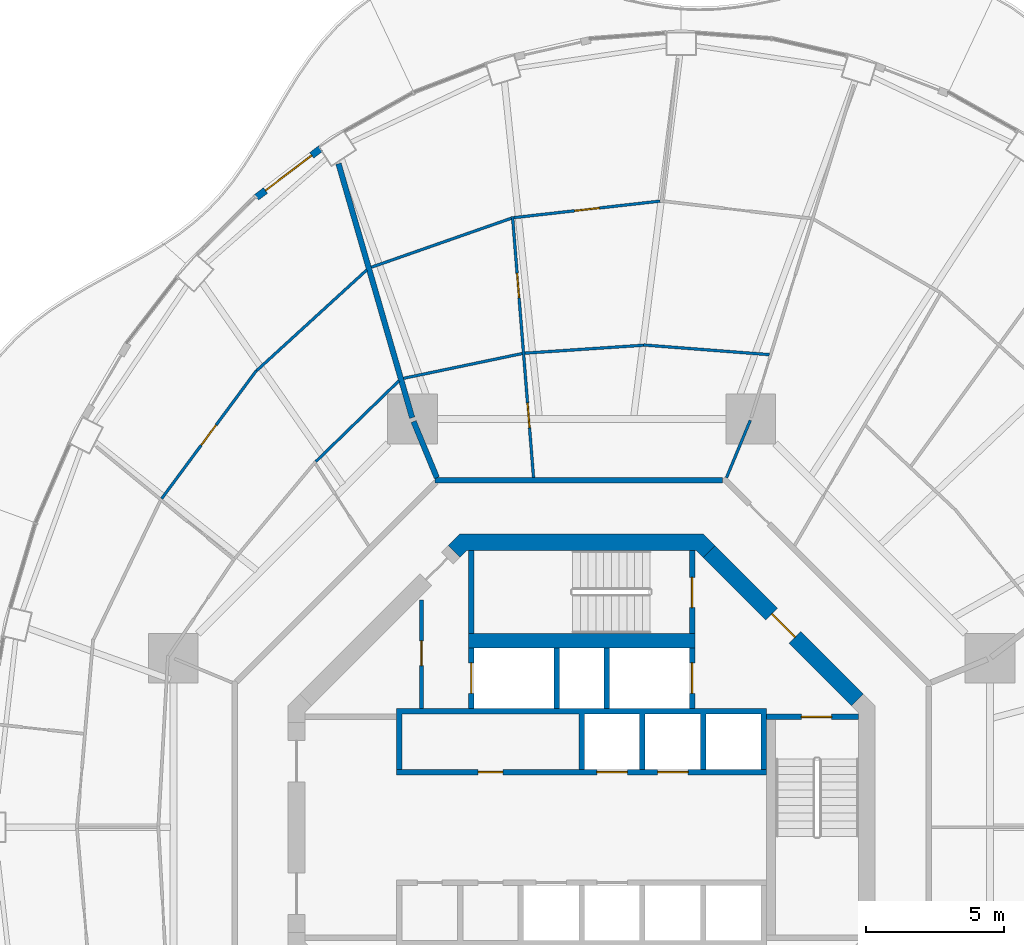
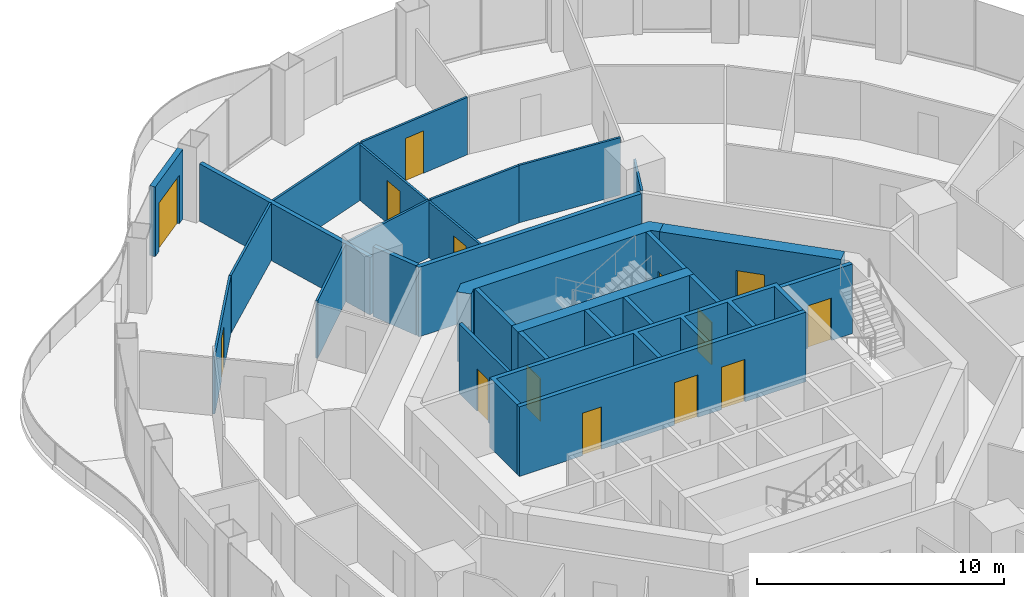
# One storey, part 14 of 19: 27 walls, 14 doors, 14 openings.
"""IFC4 building model written with IfcOpenShell, lengths in metres."""

from ifc_helpers import new_model, si_unit, direction, frame, frame_2d, origin, place, context, subcontext, project, spatial, polyline, rectangle, outline, extrude, material, layer, layer_set, type_object, element, fill, save


model = new_model("IFC4")

# Units and contexts
model_context = context("Model", 3, precision=1e-05, world=origin(), true_north=direction((0.0, 1.0)))
body_context = subcontext(model_context, "Body", "Model", "MODEL_VIEW")
ifc_project = project(units=[si_unit("LENGTHUNIT", "METRE"), si_unit("AREAUNIT", "SQUARE_METRE"), si_unit("VOLUMEUNIT", "CUBIC_METRE"), si_unit("PLANEANGLEUNIT", "RADIAN"), si_unit("MASSUNIT", "GRAM", prefix="KILO")], contexts=[model_context])

# Site, building, storey
site_placement = place(None, origin())
site = spatial("IfcSite", under=ifc_project, at=site_placement, CompositionType="ELEMENT")
building_placement = place(site_placement, origin())
building = spatial("IfcBuilding", under=site, at=building_placement, Name="Nagisa Residences", CompositionType="ELEMENT")
storey_placement = place(building_placement, frame((0.0, 0.0, 199.199951171875)))
storey = spatial("IfcBuildingStorey", under=building, at=storey_placement, Name="L50", CompositionType="ELEMENT", Elevation=199.199951171875)

# Walls
ifc_material_1 = material(Name="Gypsum board on steel studs", Category="steel")
ifc_layer_1 = layer(ifc_material_1, 0.199951171875)
ifc_layer_set_1 = layer_set([ifc_layer_1], Name="Apartment compartment wall EI60 200")
wall_type_1 = type_object("IfcWallType", Name="Apartment compartment wall EI60 200", PredefinedType="PARTITIONING", material=ifc_layer_set_1)
wall_1_placement = place(storey_placement, frame((-5.24267578125, 12.6572265625, 0.0), z_axis=(0.0, 0.0, 1.0), x_axis=(-0.382707856524, 0.923869415315, 0.0)))
element("IfcWall", 1, at=wall_1_placement, inside=storey, type_object=wall_type_1, Name="wall:L50:u02", PredefinedType="PARTITIONING", context=body_context, shape_type="SweptSolid", body=[
    extrude(rectangle(XDim=2.2001953125, YDim=0.199951171875, at=frame_2d((1.10009765625, 0.0))), origin(), (0.0, 0.0, 1.0), 3.43994140625),
])
wall_2_placement = place(storey_placement, frame((-6.136962890625, 14.830078125, 0.0), z_axis=(0.0, 0.0, 1.0), x_axis=(-0.278461169897, 0.96044748782, 0.0)))
element("IfcWall", 2, at=wall_2_placement, inside=storey, type_object=wall_type_1, Name="wall:L50:u03", PredefinedType="PARTITIONING", context=body_context, shape_type="SweptSolid", body=[
    extrude(rectangle(XDim=9.5732421875, YDim=0.199951171875, at=frame_2d((4.78662109375, 0.0))), origin(), (0.0, 0.0, 1.0), 2.837158203125),
])
ifc_material_2 = material(Name="Gypsum board on steel studs", Category="steel")
ifc_layer_2 = layer(ifc_material_2, 0.199951171875)
ifc_layer_set_2 = layer_set([ifc_layer_2], Name="Apartment entry wall EI60 200")
wall_type_2 = type_object("IfcWallType", Name="Apartment entry wall EI60 200", PredefinedType="PARTITIONING", material=ifc_layer_set_2)
wall_3_placement = place(storey_placement, frame((5.1044921875, 12.564697265625, 0.0), z_axis=(0.0, 0.0, 1.0), x_axis=(-1.0, 0.0, 0.0)))
element("IfcWall", 3, at=wall_3_placement, inside=storey, type_object=wall_type_2, Name="wall:L50:u08", PredefinedType="PARTITIONING", context=body_context, shape_type="SweptSolid", body=[
    extrude(rectangle(XDim=10.408935546875, YDim=0.199951171875, at=frame_2d((5.20458984375, 0.0))), origin(), (0.0, 0.0, 1.0), 3.43994140625),
])
ifc_material_3 = material(Name="Gypsum board on steel studs", Category="steel")
ifc_layer_3 = layer(ifc_material_3, 0.10009765625)
ifc_layer_set_3 = layer_set([ifc_layer_3], Name="Apartment partition 100")
wall_type_3 = type_object("IfcWallType", Name="Apartment partition 100", PredefinedType="PARTITIONING", material=ifc_layer_set_3)
wall_4_placement = place(storey_placement, frame((5.24267578125, 12.6572265625, 0.0), z_axis=(0.0, 0.0, 1.0), x_axis=(0.382719158442, 0.923864733477, 0.0)))
element("IfcWall", 4, at=wall_4_placement, inside=storey, type_object=wall_type_3, Name="wall:L50:u30", PredefinedType="PARTITIONING", context=body_context, shape_type="SweptSolid", body=[
    extrude(rectangle(XDim=2.25, YDim=0.10009765625, at=frame_2d((1.125, 0.0))), origin(), (0.0, 0.0, 1.0), 3.43994140625),
])
wall_5_placement = place(storey_placement, frame((6.791259765625, 17.11328125, 0.0), z_axis=(0.0, 0.0, 1.0), x_axis=(-0.997077117727, 0.07640171009, 0.0)))
element("IfcWall", 5, at=wall_5_placement, inside=storey, type_object=wall_type_3, Name="wall:L50:u32", PredefinedType="PARTITIONING", context=body_context, shape_type="SweptSolid", body=[
    extrude(rectangle(XDim=4.56005859375, YDim=0.10009765625, at=frame_2d((2.280029296875, 0.0))), origin(), (0.0, 0.0, 1.0), 2.837158203125),
])
wall_6_placement = place(storey_placement, frame((2.244384765625, 17.45458984375, 0.0), z_axis=(0.0, 0.0, 1.0), x_axis=(-0.997754717554, -0.066974051687, 0.0)))
element("IfcWall", 6, at=wall_6_placement, inside=storey, type_object=wall_type_3, Name="wall:L50:u34", PredefinedType="PARTITIONING", context=body_context, shape_type="SweptSolid", body=[
    extrude(rectangle(XDim=4.308837890625, YDim=0.10009765625, at=frame_2d((2.154296875, 0.0))), origin(), (0.0, 0.0, 1.0), 2.837158203125),
])

# Wall, opening, door
wall_7_placement = place(storey_placement, frame((2.841552734375, 22.67138671875, 0.0), z_axis=(0.0, 0.0, 1.0), x_axis=(-0.993660315081, -0.112424099879, 0.0)))
wall_7 = element("IfcWall", 7, at=wall_7_placement, inside=storey, type_object=wall_type_3, Name="wall:L50:u36", PredefinedType="PARTITIONING", context=body_context, shape_type="SweptSolid", body=[
    extrude(rectangle(XDim=5.32470703125, YDim=0.10009765625, at=frame_2d((2.662353515625, 0.0))), origin(), (0.0, 0.0, 1.0), 2.837158203125),
])
opening_1_placement = place(wall_7_placement, frame((2.21240234375, 0.0, 0.0)))
opening_1 = element("IfcOpeningElement", 8, at=opening_1_placement, cuts=wall_7, Name="Opening L50-U33", PredefinedType="OPENING", context=body_context, shape_type="SweptSolid", body=[
    extrude(rectangle(XDim=0.89990234375, YDim=2.10009765625, at=frame_2d((0.449951171875, 1.050048828125))), frame((0.0, 0.06005859375, 0.0), z_axis=(0.0, -1.0, 0.0), x_axis=(1.0, 0.0, 0.0)), (0.0, 0.0, 1.0), 0.1201171875),
])
ifc_material_4 = material(Name="Timber door set", Category="wood")
door_type_1 = type_object("IfcDoorType", Name="Apartment door 900x2100", OperationType="NOTDEFINED", PredefinedType="DOOR", material=ifc_material_4)
door_1_placement = place(opening_1_placement, frame((0.89990234375, 0.0, 0.0), x_axis=(-1.0, 0.0, 0.0)))
door_1 = element("IfcDoor", 9, at=door_1_placement, inside=storey, type_object=door_type_1, Name="Door to family room, Apartment 50B", OperationType="SINGLE_SWING_RIGHT", OverallHeight=2.10009765625, OverallWidth=0.89990234375, PredefinedType="DOOR", context=body_context, shape_type="SweptSolid", body=[
    extrude(rectangle(XDim=0.89990234375, YDim=2.10009765625, at=frame_2d((0.449951171875, 1.050048828125))), frame((0.0, 0.02490234375, 0.0), z_axis=(0.0, -1.0, 0.0), x_axis=(1.0, 0.0, 0.0)), (0.0, 0.0, 1.0), 0.050048828125),
])
fill(opening_1, door_1)

# Wall, openings, doors
wall_8_placement = place(storey_placement, frame((-1.742919921875, 12.66455078125, 0.0), z_axis=(0.0, 0.0, 1.0), x_axis=(-0.080170892619, 0.996781133437, 0.0)))
wall_8 = element("IfcWall", 10, at=wall_8_placement, inside=storey, type_object=wall_type_3, Name="wall:L50:u37", PredefinedType="PARTITIONING", context=body_context, shape_type="SweptSolid", body=[
    extrude(rectangle(XDim=9.48291015625, YDim=0.10009765625, at=frame_2d((4.741455078125, 0.0))), origin(), (0.0, 0.0, 1.0), 2.756103515625),
])
opening_2_placement = place(wall_8_placement, frame((1.806396484375, 0.0, 0.0)))
opening_2 = element("IfcOpeningElement", 11, at=opening_2_placement, cuts=wall_8, Name="Opening L50-U25", PredefinedType="OPENING", context=body_context, shape_type="SweptSolid", body=[
    extrude(rectangle(XDim=0.89990234375, YDim=2.10009765625, at=frame_2d((0.449951171875, 1.050048828125))), frame((0.0, 0.06005859375, 0.0), z_axis=(0.0, -1.0, 0.0), x_axis=(1.0, 0.0, 0.0)), (0.0, 0.0, 1.0), 0.1201171875),
])
opening_3_placement = place(wall_8_placement, frame((6.52294921875, 0.0, 0.0)))
opening_3 = element("IfcOpeningElement", 12, at=opening_3_placement, cuts=wall_8, Name="Opening L50-U29", PredefinedType="OPENING", context=body_context, shape_type="SweptSolid", body=[
    extrude(rectangle(XDim=0.89990234375, YDim=2.10009765625, at=frame_2d((0.449951171875, 1.050048828125))), frame((0.0, 0.06005859375, 0.0), z_axis=(0.0, -1.0, 0.0), x_axis=(1.0, 0.0, 0.0)), (0.0, 0.0, 1.0), 0.1201171875),
])
door_2_placement = place(opening_2_placement, origin())
door_2 = element("IfcDoor", 13, at=door_2_placement, inside=storey, type_object=door_type_1, Name="Door to laundry, Apartment 50B", OperationType="SINGLE_SWING_LEFT", OverallHeight=2.10009765625, OverallWidth=0.89990234375, PredefinedType="DOOR", context=body_context, shape_type="SweptSolid", body=[
    extrude(rectangle(XDim=0.89990234375, YDim=2.10009765625, at=frame_2d((0.449951171875, 1.050048828125))), frame((0.0, 0.02490234375, 0.0), z_axis=(0.0, -1.0, 0.0), x_axis=(1.0, 0.0, 0.0)), (0.0, 0.0, 1.0), 0.050048828125),
])
fill(opening_2, door_2)
door_3_placement = place(opening_3_placement, origin())
door_3 = element("IfcDoor", 14, at=door_3_placement, inside=storey, type_object=door_type_1, Name="Door to family room, Apartment 50B", OperationType="SINGLE_SWING_LEFT", OverallHeight=2.10009765625, OverallWidth=0.89990234375, PredefinedType="DOOR", context=body_context, shape_type="SweptSolid", body=[
    extrude(rectangle(XDim=0.89990234375, YDim=2.10009765625, at=frame_2d((0.449951171875, 1.050048828125))), frame((0.0, 0.02490234375, 0.0), z_axis=(0.0, -1.0, 0.0), x_axis=(1.0, 0.0, 0.0)), (0.0, 0.0, 1.0), 0.050048828125),
])
fill(opening_3, door_3)

# Walls
wall_9_placement = place(storey_placement, frame((-2.153564453125, 17.15234375, 0.0), z_axis=(0.0, 0.0, 1.0), x_axis=(-0.978906251581, -0.204309937631, 0.0)))
element("IfcWall", 15, at=wall_9_placement, inside=storey, type_object=wall_type_3, Name="wall:L50:u38", PredefinedType="PARTITIONING", context=body_context, shape_type="SweptSolid", body=[
    extrude(rectangle(XDim=4.385498046875, YDim=0.10009765625, at=frame_2d((2.19287109375, 0.0))), origin(), (0.0, 0.0, 1.0), 2.837158203125),
])
wall_10_placement = place(storey_placement, frame((-2.54638671875, 22.050537109375, 0.0), z_axis=(0.0, 0.0, 1.0), x_axis=(-0.94391294884, -0.330194404878, 0.0)))
element("IfcWall", 16, at=wall_10_placement, inside=storey, type_object=wall_type_3, Name="wall:L50:u39", PredefinedType="PARTITIONING", context=body_context, shape_type="SweptSolid", body=[
    extrude(rectangle(XDim=5.3671875, YDim=0.10009765625, at=frame_2d((2.68359375, 0.0))), origin(), (0.0, 0.0, 1.0), 2.837158203125),
])
wall_11_placement = place(storey_placement, frame((-6.6162109375, 16.166259765625, 0.0), z_axis=(0.0, 0.0, 1.0), x_axis=(-0.716919058692, -0.697156412352, 0.0)))
element("IfcWall", 17, at=wall_11_placement, inside=storey, type_object=wall_type_3, Name="wall:L50:u40", PredefinedType="PARTITIONING", context=body_context, shape_type="SweptSolid", body=[
    extrude(rectangle(XDim=4.2001953125, YDim=0.10009765625, at=frame_2d((2.10009765625, 0.0))), origin(), (0.0, 0.0, 1.0), 2.837158203125),
])
wall_12_placement = place(storey_placement, frame((-7.78076171875, 20.177734375, 0.0), z_axis=(0.0, 0.0, 1.0), x_axis=(-0.73807320557, -0.674720640872, 0.0)))
element("IfcWall", 18, at=wall_12_placement, inside=storey, type_object=wall_type_3, Name="wall:L50:u41", PredefinedType="PARTITIONING", context=body_context, shape_type="SweptSolid", body=[
    extrude(rectangle(XDim=5.39892578125, YDim=0.10009765625, at=frame_2d((2.699462890625, 0.0))), origin(), (0.0, 0.0, 1.0), 2.837158203125),
])

# Wall, opening, door
wall_13_placement = place(storey_placement, frame((-11.77294921875, 16.54150390625, 0.0), z_axis=(0.0, 0.0, 1.0), x_axis=(-0.594694305999, -0.803951915485, 0.0)))
wall_13 = element("IfcWall", 19, at=wall_13_placement, inside=storey, type_object=wall_type_3, Name="wall:L50:u44", PredefinedType="PARTITIONING", context=body_context, shape_type="SweptSolid", body=[
    extrude(rectangle(XDim=5.771728515625, YDim=0.10009765625, at=frame_2d((2.8857421875, 0.0))), origin(), (0.0, 0.0, 1.0), 2.837158203125),
])
opening_4_placement = place(wall_13_placement, frame((2.460693359375, 0.0, 0.0)))
opening_4 = element("IfcOpeningElement", 20, at=opening_4_placement, cuts=wall_13, Name="Opening L50-U48", PredefinedType="OPENING", context=body_context, shape_type="SweptSolid", body=[
    extrude(rectangle(XDim=0.89990234375, YDim=2.10009765625, at=frame_2d((0.449951171875, 1.050048828125))), frame((0.0, 0.06005859375, 0.0), z_axis=(0.0, -1.0, 0.0), x_axis=(1.0, 0.0, 0.0)), (0.0, 0.0, 1.0), 0.1201171875),
])
door_4_placement = place(opening_4_placement, frame((0.89990234375, 0.0, 0.0), x_axis=(-1.0, 0.0, 0.0)))
door_4 = element("IfcDoor", 21, at=door_4_placement, inside=storey, type_object=door_type_1, Name="Door to family room, Apartment 50C", OperationType="SINGLE_SWING_LEFT", OverallHeight=2.10009765625, OverallWidth=0.89990234375, PredefinedType="DOOR", context=body_context, shape_type="SweptSolid", body=[
    extrude(rectangle(XDim=0.89990234375, YDim=2.10009765625, at=frame_2d((0.449951171875, 1.050048828125))), frame((0.0, 0.02490234375, 0.0), z_axis=(0.0, -1.0, 0.0), x_axis=(1.0, 0.0, 0.0)), (0.0, 0.0, 1.0), 0.050048828125),
])
fill(opening_4, door_4)

ifc_material_5 = material(Name="Precast concrete C40/50", Category="concrete")
ifc_layer_4 = layer(ifc_material_5, 0.25)
ifc_layer_set_4 = layer_set([ifc_layer_4], Name="BALCONY DOOR WALL 250")
wall_type_4 = type_object("IfcWallType", Name="BALCONY DOOR WALL 250", PredefinedType="SOLIDWALL", material=ifc_layer_set_4)
wall_14_placement = place(storey_placement, frame((-11.771728515625, 22.80859375, 0.0), z_axis=(0.0, 0.0, 1.0), x_axis=(0.796055733703, 0.60522332146, 0.0)))
wall_14 = element("IfcWall", 22, at=wall_14_placement, inside=storey, type_object=wall_type_4, Name="wall:L50:bay16", PredefinedType="SOLIDWALL", context=body_context, shape_type="SweptSolid", body=[
    extrude(rectangle(XDim=2.9169921875, YDim=0.25, at=frame_2d((1.45849609375, 0.0))), origin(), (0.0, 0.0, 1.0), 3.43994140625),
])
opening_5_placement = place(wall_14_placement, frame((0.408447265625, 0.0, 0.0)))
opening_5 = element("IfcOpeningElement", 23, at=opening_5_placement, cuts=wall_14, Name="Opening BD-L50-06", PredefinedType="OPENING", context=body_context, shape_type="SweptSolid", body=[
    extrude(rectangle(XDim=2.10009765625, YDim=2.39990234375, at=frame_2d((1.050048828125, 1.199951171875))), frame((0.0, 0.135009765625, 0.0), z_axis=(0.0, -1.0, 0.0), x_axis=(1.0, 0.0, 0.0)), (0.0, 0.0, 1.0), 0.27001953125),
])
ifc_material_6 = material(Name="Aluminium and clear glass", Category="aluminium")
door_type_2 = type_object("IfcDoorType", Name="BALCONY SLIDING DOOR 2100x2400", OperationType="SLIDING_TO_LEFT", PredefinedType="DOOR", material=ifc_material_6)
door_5_placement = place(opening_5_placement, origin())
door_5 = element("IfcDoor", 24, at=door_5_placement, inside=storey, type_object=door_type_2, Name="door:L50:bay16", OperationType="SLIDING_TO_LEFT", OverallHeight=2.39990234375, OverallWidth=2.10009765625, PredefinedType="DOOR", context=body_context, shape_type="SweptSolid", body=[
    extrude(rectangle(XDim=2.10009765625, YDim=2.39990234375, at=frame_2d((1.050048828125, 1.199951171875))), frame((0.0, 0.02490234375, 0.0), z_axis=(0.0, -1.0, 0.0), x_axis=(1.0, 0.0, 0.0)), (0.0, 0.0, 1.0), 0.050048828125),
])
fill(opening_5, door_5)

ifc_material_7 = material(Name="Gypsum board on steel studs", Category="steel")
ifc_layer_5 = layer(ifc_material_7, 0.14990234375)
ifc_layer_set_5 = layer_set([ifc_layer_5], Name="Core partition 150")
wall_type_5 = type_object("IfcWallType", Name="Core partition 150", PredefinedType="PARTITIONING", material=ifc_layer_set_5)
wall_15_placement = place(storey_placement, frame((-5.800048828125, 4.300048828125, 0.0), z_axis=(0.0, 0.0, 1.0), x_axis=(0.0, 1.0, 0.0)))
wall_15 = element("IfcWall", 25, at=wall_15_placement, inside=storey, type_object=wall_type_5, Name="wall:L50:NWp", PredefinedType="PARTITIONING", context=body_context, shape_type="SweptSolid", body=[
    extrude(rectangle(XDim=3.927001953125, YDim=0.14990234375, at=frame_2d((1.96337890625, 0.0))), origin(), (0.0, 0.0, 1.0), 3.43994140625),
])
opening_6_placement = place(wall_15_placement, frame((1.551025390625, 0.0, 0.0)))
opening_6 = element("IfcOpeningElement", 26, at=opening_6_placement, cuts=wall_15, Name="Opening L50-C11", PredefinedType="OPENING", context=body_context, shape_type="SweptSolid", body=[
    extrude(rectangle(XDim=0.89990234375, YDim=2.10009765625, at=frame_2d((0.449951171875, 1.050048828125))), frame((0.0, 0.0849609375, 0.0), z_axis=(0.0, -1.0, 0.0), x_axis=(1.0, 0.0, 0.0)), (0.0, 0.0, 1.0), 0.169921875),
])
ifc_material_8 = material(Name="Steel fire door", Category="steel")
door_type_3 = type_object("IfcDoorType", Name="Fire door EI30 900x2100 single swing", OperationType="NOTDEFINED", PredefinedType="DOOR", material=ifc_material_8)
door_6_placement = place(opening_6_placement, origin())
door_6 = element("IfcDoor", 27, at=door_6_placement, inside=storey, type_object=door_type_3, Name="Linen store door L50", OperationType="SINGLE_SWING_LEFT", OverallHeight=2.10009765625, OverallWidth=0.89990234375, PredefinedType="DOOR", context=body_context, shape_type="SweptSolid", body=[
    extrude(rectangle(XDim=0.89990234375, YDim=2.10009765625, at=frame_2d((0.449951171875, 1.050048828125))), frame((0.0, 0.02490234375, 0.0), z_axis=(0.0, -1.0, 0.0), x_axis=(1.0, 0.0, 0.0)), (0.0, 0.0, 1.0), 0.050048828125),
])
fill(opening_6, door_6)

ifc_material_9 = material(Name="Concrete C60", Category="concrete")
ifc_layer_6 = layer(ifc_material_9, 0.60009765625)
ifc_layer_set_6 = layer_set([ifc_layer_6], Name="Core shear wall 600")
wall_type_6 = type_object("IfcWallType", Name="Core shear wall 600", PredefinedType="SHEAR", material=ifc_layer_set_6)
wall_16_placement = place(storey_placement, frame((9.98828125, 4.613037109375, 0.0), z_axis=(0.0, 0.0, 1.0), x_axis=(-0.707106781187, 0.707106781187, 0.0)))
wall_16 = element("IfcWall", 28, at=wall_16_placement, inside=storey, type_object=wall_type_6, Name="wall:L50:core:flat1", PredefinedType="SHEAR", context=body_context, shape_type="SweptSolid", body=[
    extrude(rectangle(XDim=7.601806640625, YDim=0.60009765625, at=frame_2d((3.80078125, 0.0))), origin(), (0.0, 0.0, 1.0), 3.43994140625),
])
opening_7_placement = place(wall_16_placement, frame((3.200927734375, 0.0, 0.0)))
opening_7 = element("IfcOpeningElement", 29, at=opening_7_placement, cuts=wall_16, Name="Opening L50-C18", PredefinedType="OPENING", context=body_context, shape_type="SweptSolid", body=[
    extrude(rectangle(XDim=1.199951171875, YDim=2.10009765625, at=frame_2d((0.60009765625, 1.050048828125))), frame((0.0, 0.31005859375, 0.0), z_axis=(0.0, -1.0, 0.0), x_axis=(1.0, 0.0, 0.0)), (0.0, 0.0, 1.0), 0.6201171875),
])
ifc_material_10 = material(Name="Steel fire door", Category="steel")
door_type_4 = type_object("IfcDoorType", Name="Fire door EI60 1200x2100 single swing", OperationType="NOTDEFINED", PredefinedType="DOOR", material=ifc_material_10)
door_7_placement = place(opening_7_placement, origin())
door_7 = element("IfcDoor", 30, at=door_7_placement, inside=storey, type_object=door_type_4, Name="Firefighting lobby 1 door L50", OperationType="SINGLE_SWING_RIGHT", OverallHeight=2.10009765625, OverallWidth=1.199951171875, PredefinedType="DOOR", context=body_context, shape_type="SweptSolid", body=[
    extrude(rectangle(XDim=1.199951171875, YDim=2.10009765625, at=frame_2d((0.60009765625, 1.050048828125))), frame((0.0, 0.02490234375, 0.0), z_axis=(0.0, -1.0, 0.0), x_axis=(1.0, 0.0, 0.0)), (0.0, 0.0, 1.0), 0.050048828125),
])
fill(opening_7, door_7)

# Wall
wall_17_placement = place(storey_placement, origin())
element("IfcWall", 31, at=wall_17_placement, inside=storey, type_object=wall_type_6, Name="wall:L50:core:flat2", PredefinedType="SHEAR", context=body_context, shape_type="SweptSolid", body=[
    extrude(outline(polyline([(-4.15234375, 10.024658203125), (-4.40087890625, 9.776123046875), (-4.8251953125, 10.200439453125), (-4.40087890625, 10.62451171875), (4.40087890625, 10.62451171875), (4.8251953125, 10.200439453125), (4.40087890625, 9.776123046875), (4.15234375, 10.024658203125), (-4.15234375, 10.024658203125)])), origin(), (0.0, 0.0, 1.0), 3.43994140625),
])

# Wall, opening, door
ifc_material_11 = material(Name="Concrete C60", Category="concrete")
ifc_layer_7 = layer(ifc_material_11, 0.199951171875)
ifc_layer_set_7 = layer_set([ifc_layer_7], Name="Lift shaft wall 200")
wall_type_7 = type_object("IfcWallType", Name="Lift shaft wall 200", PredefinedType="SOLIDWALL", material=ifc_layer_set_7)
wall_18_placement = place(storey_placement, frame((4.0, 4.300048828125, 0.0), z_axis=(0.0, 0.0, 1.0), x_axis=(0.0, 1.0, 0.0)))
wall_18 = element("IfcWall", 32, at=wall_18_placement, inside=storey, type_object=wall_type_7, Name="wall:L50:Nb3", PredefinedType="SOLIDWALL", context=body_context, shape_type="SweptSolid", body=[
    extrude(rectangle(XDim=2.199951171875, YDim=0.199951171875, at=frame_2d((1.10009765625, 0.0))), origin(), (0.0, 0.0, 1.0), 3.43994140625),
])
opening_8_placement = place(wall_18_placement, frame((0.550048828125, 0.0, 0.0)))
opening_8 = element("IfcOpeningElement", 33, at=opening_8_placement, cuts=wall_18, Name="Opening L50-C05", PredefinedType="OPENING", context=body_context, shape_type="SweptSolid", body=[
    extrude(rectangle(XDim=1.10009765625, YDim=2.10009765625, at=frame_2d((0.550048828125, 1.050048828125))), frame((0.0, 0.10986328125, 0.0), z_axis=(0.0, -1.0, 0.0), x_axis=(1.0, 0.0, 0.0)), (0.0, 0.0, 1.0), 0.219970703125),
])
ifc_material_12 = material(Name="Stainless steel", Category="steel")
door_type_5 = type_object("IfcDoorType", Name="Lift landing door 1100x2100", OperationType="DOUBLE_DOOR_SLIDING", PredefinedType="DOOR", material=ifc_material_12)
door_8_placement = place(opening_8_placement, origin())
door_8 = element("IfcDoor", 34, at=door_8_placement, inside=storey, type_object=door_type_5, Name="Landing door FL1 L50", OperationType="DOUBLE_DOOR_SLIDING", OverallHeight=2.10009765625, OverallWidth=1.10009765625, PredefinedType="DOOR", context=body_context, shape_type="SweptSolid", body=[
    extrude(rectangle(XDim=1.10009765625, YDim=2.10009765625, at=frame_2d((0.550048828125, 1.050048828125))), frame((0.0, 0.02490234375, 0.0), z_axis=(0.0, -1.0, 0.0), x_axis=(1.0, 0.0, 0.0)), (0.0, 0.0, 1.0), 0.050048828125),
])
fill(opening_8, door_8)

wall_19_placement = place(storey_placement, frame((-4.0, 4.300048828125, 0.0), z_axis=(0.0, 0.0, 1.0), x_axis=(0.0, 1.0, 0.0)))
wall_19 = element("IfcWall", 35, at=wall_19_placement, inside=storey, type_object=wall_type_7, Name="wall:L50:Nb4", PredefinedType="SOLIDWALL", context=body_context, shape_type="SweptSolid", body=[
    extrude(rectangle(XDim=2.199951171875, YDim=0.199951171875, at=frame_2d((1.10009765625, 0.0))), origin(), (0.0, 0.0, 1.0), 3.43994140625),
])
opening_9_placement = place(wall_19_placement, frame((0.550048828125, 0.0, 0.0)))
opening_9 = element("IfcOpeningElement", 36, at=opening_9_placement, cuts=wall_19, Name="Opening L50-C07", PredefinedType="OPENING", context=body_context, shape_type="SweptSolid", body=[
    extrude(rectangle(XDim=1.10009765625, YDim=2.10009765625, at=frame_2d((0.550048828125, 1.050048828125))), frame((0.0, 0.10986328125, 0.0), z_axis=(0.0, -1.0, 0.0), x_axis=(1.0, 0.0, 0.0)), (0.0, 0.0, 1.0), 0.219970703125),
])
door_9_placement = place(opening_9_placement, origin())
door_9 = element("IfcDoor", 37, at=door_9_placement, inside=storey, type_object=door_type_5, Name="Landing door SV L50", OperationType="DOUBLE_DOOR_SLIDING", OverallHeight=2.10009765625, OverallWidth=1.10009765625, PredefinedType="DOOR", context=body_context, shape_type="SweptSolid", body=[
    extrude(rectangle(XDim=1.10009765625, YDim=2.10009765625, at=frame_2d((0.550048828125, 1.050048828125))), frame((0.0, 0.02490234375, 0.0), z_axis=(0.0, -1.0, 0.0), x_axis=(1.0, 0.0, 0.0)), (0.0, 0.0, 1.0), 0.050048828125),
])
fill(opening_9, door_9)

# Wall, openings, doors
wall_20_placement = place(storey_placement, frame((-6.699951171875, 2.0, 0.0), z_axis=(0.0, 0.0, 1.0), x_axis=(1.0, 0.0, 0.0)))
wall_20 = element("IfcWall", 38, at=wall_20_placement, inside=storey, type_object=wall_type_7, Name="wall:L50:Nfront", PredefinedType="SOLIDWALL", context=body_context, shape_type="SweptSolid", body=[
    extrude(rectangle(XDim=13.39990234375, YDim=0.199951171875, at=frame_2d((6.699951171875, 0.0))), origin(), (0.0, 0.0, 1.0), 3.43994140625),
])
opening_10_placement = place(wall_20_placement, frame((7.25, 0.0, 0.0)))
opening_10 = element("IfcOpeningElement", 39, at=opening_10_placement, cuts=wall_20, Name="Opening L50-C01", PredefinedType="OPENING", context=body_context, shape_type="SweptSolid", body=[
    extrude(rectangle(XDim=1.10009765625, YDim=2.10009765625, at=frame_2d((0.550048828125, 1.050048828125))), frame((0.0, 0.10986328125, 0.0), z_axis=(0.0, -1.0, 0.0), x_axis=(1.0, 0.0, 0.0)), (0.0, 0.0, 1.0), 0.219970703125),
])
opening_11_placement = place(wall_20_placement, frame((9.449951171875, 0.0, 0.0)))
opening_11 = element("IfcOpeningElement", 40, at=opening_11_placement, cuts=wall_20, Name="Opening L50-C02", PredefinedType="OPENING", context=body_context, shape_type="SweptSolid", body=[
    extrude(rectangle(XDim=1.10009765625, YDim=2.10009765625, at=frame_2d((0.550048828125, 1.050048828125))), frame((0.0, 0.10986328125, 0.0), z_axis=(0.0, -1.0, 0.0), x_axis=(1.0, 0.0, 0.0)), (0.0, 0.0, 1.0), 0.219970703125),
])
opening_12_placement = place(wall_20_placement, frame((2.949951171875, 0.0, 0.0)))
opening_12 = element("IfcOpeningElement", 41, at=opening_12_placement, cuts=wall_20, Name="Opening L50-C15", PredefinedType="OPENING", context=body_context, shape_type="SweptSolid", body=[
    extrude(rectangle(XDim=0.89990234375, YDim=2.10009765625, at=frame_2d((0.449951171875, 1.050048828125))), frame((0.0, 0.10986328125, 0.0), z_axis=(0.0, -1.0, 0.0), x_axis=(1.0, 0.0, 0.0)), (0.0, 0.0, 1.0), 0.219970703125),
])
door_10_placement = place(opening_12_placement, origin())
door_10 = element("IfcDoor", 42, at=door_10_placement, inside=storey, type_object=door_type_3, Name="Owner storage door L50", OperationType="SINGLE_SWING_RIGHT", OverallHeight=2.10009765625, OverallWidth=0.89990234375, PredefinedType="DOOR", context=body_context, shape_type="SweptSolid", body=[
    extrude(rectangle(XDim=0.89990234375, YDim=2.10009765625, at=frame_2d((0.449951171875, 1.050048828125))), frame((0.0, 0.02490234375, 0.0), z_axis=(0.0, -1.0, 0.0), x_axis=(1.0, 0.0, 0.0)), (0.0, 0.0, 1.0), 0.050048828125),
])
fill(opening_12, door_10)
door_11_placement = place(opening_10_placement, origin())
door_11 = element("IfcDoor", 43, at=door_11_placement, inside=storey, type_object=door_type_5, Name="Landing door B1 L50", OperationType="DOUBLE_DOOR_SLIDING", OverallHeight=2.10009765625, OverallWidth=1.10009765625, PredefinedType="DOOR", context=body_context, shape_type="SweptSolid", body=[
    extrude(rectangle(XDim=1.10009765625, YDim=2.10009765625, at=frame_2d((0.550048828125, 1.050048828125))), frame((0.0, 0.02490234375, 0.0), z_axis=(0.0, -1.0, 0.0), x_axis=(1.0, 0.0, 0.0)), (0.0, 0.0, 1.0), 0.050048828125),
])
fill(opening_10, door_11)
door_12_placement = place(opening_11_placement, origin())
door_12 = element("IfcDoor", 44, at=door_12_placement, inside=storey, type_object=door_type_5, Name="Landing door B2 L50", OperationType="DOUBLE_DOOR_SLIDING", OverallHeight=2.10009765625, OverallWidth=1.10009765625, PredefinedType="DOOR", context=body_context, shape_type="SweptSolid", body=[
    extrude(rectangle(XDim=1.10009765625, YDim=2.10009765625, at=frame_2d((0.550048828125, 1.050048828125))), frame((0.0, 0.02490234375, 0.0), z_axis=(0.0, -1.0, 0.0), x_axis=(1.0, 0.0, 0.0)), (0.0, 0.0, 1.0), 0.050048828125),
])
fill(opening_11, door_12)

# Walls
for number, where, z_axis, x_axis, name in (
    (45, (-0.89990234375, 4.300048828125, 0.0), (0.0, 0.0, 1.0), (0.0, 1.0, 0.0), "wall:L50:Nb1"),
    (46, (0.89990234375, 4.300048828125, 0.0), (0.0, 0.0, 1.0), (0.0, 1.0, 0.0), "wall:L50:Nb2"),
):
    element("IfcWall", number, at=place(storey_placement, frame(where, z_axis=z_axis, x_axis=x_axis)), inside=storey, type_object=wall_type_7, Name=name, PredefinedType="SOLIDWALL", context=body_context, shape_type="SweptSolid", body=[
        extrude(rectangle(XDim=2.199951171875, YDim=0.199951171875, at=frame_2d((1.10009765625, 0.0))), origin(), (0.0, 0.0, 1.0), 3.43994140625),
    ])
wall_21_placement = place(storey_placement, origin())
element("IfcWall", 47, at=wall_21_placement, inside=storey, type_object=wall_type_7, Name="wall:L50:Nback", PredefinedType="SOLIDWALL", context=body_context, shape_type="SweptSolid", body=[
    extrude(outline(polyline([(-6.699951171875, 4.300048828125), (6.699951171875, 4.300048828125), (6.699951171875, 2.10009765625), (6.5, 2.10009765625), (6.5, 4.10009765625), (4.5, 4.10009765625), (4.5, 2.10009765625), (4.300048828125, 2.10009765625), (4.300048828125, 4.10009765625), (2.300048828125, 4.10009765625), (2.300048828125, 2.10009765625), (2.10009765625, 2.10009765625), (2.10009765625, 4.10009765625), (0.10009765625, 4.10009765625), (0.10009765625, 2.10009765625), (-0.10009765625, 2.10009765625), (-0.10009765625, 4.10009765625), (-6.5, 4.10009765625), (-6.5, 2.10009765625), (-6.699951171875, 2.10009765625), (-6.699951171875, 4.300048828125)])), origin(), (0.0, 0.0, 1.0), 3.43994140625),
])

# Wall, opening, door
ifc_material_13 = material(Name="Concrete C60", Category="concrete")
ifc_layer_8 = layer(ifc_material_13, 0.199951171875)
ifc_layer_set_8 = layer_set([ifc_layer_8], Name="Stair enclosure wall 200")
wall_type_8 = type_object("IfcWallType", Name="Stair enclosure wall 200", PredefinedType="SOLIDWALL", material=ifc_layer_set_8)
wall_22_placement = place(storey_placement, frame((6.699951171875, 4.0, 0.0), z_axis=(0.0, 0.0, 1.0), x_axis=(1.0, 0.0, 0.0)))
wall_22 = element("IfcWall", 48, at=wall_22_placement, inside=storey, type_object=wall_type_8, Name="wall:L50:SE_n", PredefinedType="SOLIDWALL", context=body_context, shape_type="SweptSolid", body=[
    extrude(rectangle(XDim=3.32470703125, YDim=0.199951171875, at=frame_2d((1.662353515625, 0.0))), origin(), (0.0, 0.0, 1.0), 3.43994140625),
])
opening_13_placement = place(wall_22_placement, frame((1.25, 0.0, 0.0)))
opening_13 = element("IfcOpeningElement", 49, at=opening_13_placement, cuts=wall_22, Name="Opening L50-C08", PredefinedType="OPENING", context=body_context, shape_type="SweptSolid", body=[
    extrude(rectangle(XDim=1.10009765625, YDim=2.10009765625, at=frame_2d((0.550048828125, 1.050048828125))), frame((0.0, 0.10986328125, 0.0), z_axis=(0.0, -1.0, 0.0), x_axis=(1.0, 0.0, 0.0)), (0.0, 0.0, 1.0), 0.219970703125),
])
ifc_material_14 = material(Name="Steel fire door", Category="steel")
door_type_6 = type_object("IfcDoorType", Name="Fire door EI90 1100x2100 single swing", OperationType="NOTDEFINED", PredefinedType="DOOR", material=ifc_material_14)
door_13_placement = place(opening_13_placement, frame((1.10009765625, 0.0, 0.0), x_axis=(-1.0, 0.0, 0.0)))
door_13 = element("IfcDoor", 50, at=door_13_placement, inside=storey, type_object=door_type_6, Name="Stair door ST-E L50", OperationType="SINGLE_SWING_LEFT", OverallHeight=2.10009765625, OverallWidth=1.10009765625, PredefinedType="DOOR", context=body_context, shape_type="SweptSolid", body=[
    extrude(rectangle(XDim=1.10009765625, YDim=2.10009765625, at=frame_2d((0.550048828125, 1.050048828125))), frame((0.0, 0.02490234375, 0.0), z_axis=(0.0, -1.0, 0.0), x_axis=(1.0, 0.0, 0.0)), (0.0, 0.0, 1.0), 0.050048828125),
])
fill(opening_13, door_13)

wall_23_placement = place(storey_placement, frame((4.0, 7.024658203125, 0.0), z_axis=(0.0, 0.0, 1.0), x_axis=(0.0, 1.0, 0.0)))
wall_23 = element("IfcWall", 51, at=wall_23_placement, inside=storey, type_object=wall_type_8, Name="wall:L50:SN_e", PredefinedType="SOLIDWALL", context=body_context, shape_type="SweptSolid", body=[
    extrude(rectangle(XDim=3.0, YDim=0.199951171875, at=frame_2d((1.5, 0.0))), origin(), (0.0, 0.0, 1.0), 3.43994140625),
])
opening_14_placement = place(wall_23_placement, frame((0.92529296875, 0.0, 0.0)))
opening_14 = element("IfcOpeningElement", 52, at=opening_14_placement, cuts=wall_23, Name="Opening L50-C09", PredefinedType="OPENING", context=body_context, shape_type="SweptSolid", body=[
    extrude(rectangle(XDim=1.10009765625, YDim=2.10009765625, at=frame_2d((0.550048828125, 1.050048828125))), frame((0.0, 0.10986328125, 0.0), z_axis=(0.0, -1.0, 0.0), x_axis=(1.0, 0.0, 0.0)), (0.0, 0.0, 1.0), 0.219970703125),
])
door_14_placement = place(opening_14_placement, origin())
door_14 = element("IfcDoor", 53, at=door_14_placement, inside=storey, type_object=door_type_6, Name="Stair door ST-N L50", OperationType="SINGLE_SWING_RIGHT", OverallHeight=2.10009765625, OverallWidth=1.10009765625, PredefinedType="DOOR", context=body_context, shape_type="SweptSolid", body=[
    extrude(rectangle(XDim=1.10009765625, YDim=2.10009765625, at=frame_2d((0.550048828125, 1.050048828125))), frame((0.0, 0.02490234375, 0.0), z_axis=(0.0, -1.0, 0.0), x_axis=(1.0, 0.0, 0.0)), (0.0, 0.0, 1.0), 0.050048828125),
])
fill(opening_14, door_14)

# Walls
wall_24_placement = place(storey_placement, origin())
element("IfcWall", 54, at=wall_24_placement, inside=storey, type_object=wall_type_8, Name="wall:L50:SN_w", PredefinedType="SOLIDWALL", context=body_context, shape_type="SweptSolid", body=[
    extrude(outline(polyline([(-3.89990234375, 7.024658203125), (-4.10009765625, 7.024658203125), (-4.10009765625, 10.024658203125), (-3.89990234375, 10.024658203125), (-3.89990234375, 7.024658203125)])), origin(), (0.0, 0.0, 1.0), 3.43994140625),
])
wall_25_placement = place(storey_placement, origin())
element("IfcWall", 55, at=wall_25_placement, inside=storey, type_object=wall_type_8, Name="wall:L50:SN_s", PredefinedType="SOLIDWALL", context=body_context, shape_type="SweptSolid", body=[
    extrude(outline(polyline([(4.10009765625, 6.5), (-4.10009765625, 6.5), (-4.10009765625, 7.024658203125), (4.10009765625, 7.024658203125), (4.10009765625, 6.5)])), origin(), (0.0, 0.0, 1.0), 3.43994140625),
])

save(model, "model.ifc")
